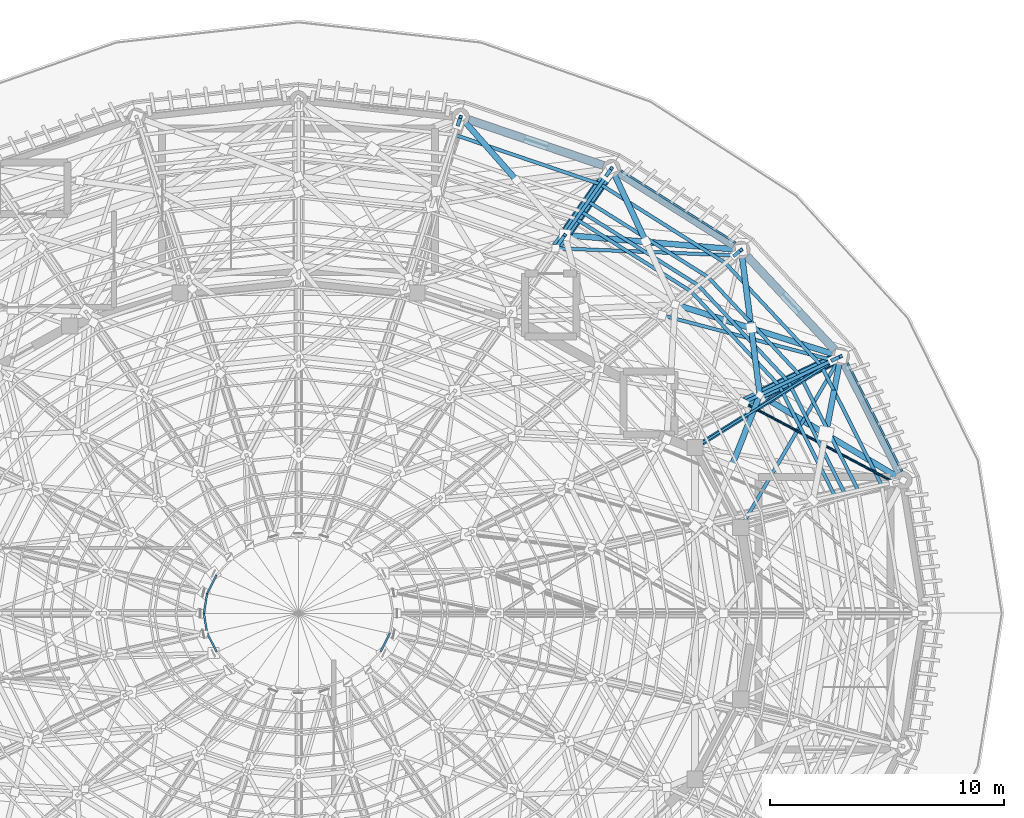
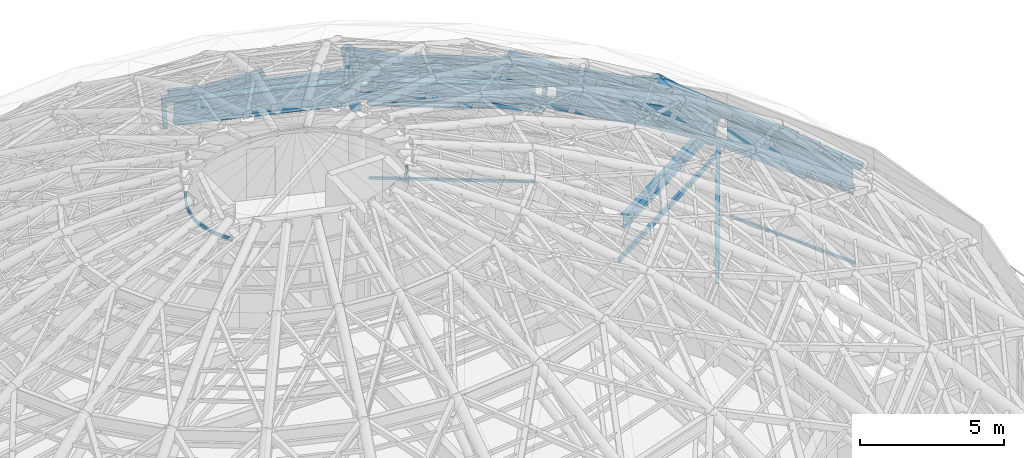
# One storey, part 34 of 50: 48 members, 5 beams.
"""IFC4 building model written with IfcOpenShell, lengths in metres."""

from ifc_helpers import new_model, si_unit, direction, frame, origin, origin_2d, place, context, subcontext, project, spatial, rectangle, hollow_rectangle, hollow_circle, i_section, extrude, material, material_profile, profile_set, type_object, element, save


model = new_model("IFC4")

# Units and contexts
model_context = context("Model", 3, precision=1e-05, world=origin(), true_north=direction((0.0, 1.0)))
body_context = subcontext(model_context, "Body", "Model", "MODEL_VIEW")
ifc_project = project(units=[si_unit("LENGTHUNIT", "METRE"), si_unit("AREAUNIT", "SQUARE_METRE"), si_unit("VOLUMEUNIT", "CUBIC_METRE"), si_unit("PLANEANGLEUNIT", "RADIAN"), si_unit("MASSUNIT", "GRAM", prefix="KILO")], contexts=[model_context])

# Site, building, storey
site_placement = place(None, origin())
site = spatial("IfcSite", under=ifc_project, at=site_placement, CompositionType="ELEMENT")
building_placement = place(site_placement, origin())
building = spatial("IfcBuilding", under=site, at=building_placement, Name="Cinderbank Siding Concert Hall", CompositionType="ELEMENT")
storey_placement = place(building_placement, frame((0.0, 0.0, 23.699951171875)))
storey = spatial("IfcBuildingStorey", under=building, at=storey_placement, Name="L06", CompositionType="ELEMENT", Elevation=23.699951171875)

# Beams
ifc_material_1 = material(Name="Structural steel AS/NZS 3679.1 Grade 350 (340 MPa)", Category="steel")
ifc_material_profile_1 = material_profile(ifc_material_1, i_section(OverallWidth=0.208984375, OverallDepth=0.532958984375, WebThickness=0.01025390625, FlangeThickness=0.015625, at=origin_2d()), Name="530UB92.4", Category="LoadBearing")
ifc_profile_set_1 = profile_set([ifc_material_profile_1], Name="Structural steel AS/NZS 3679.1 Grade 350 (340 MPa)")
beam_type_1 = type_object("IfcBeamType", Name="BM-UB530H 530UB92.4", PredefinedType="BEAM", material=ifc_profile_set_1)
beam_1_placement = place(storey_placement, frame((139.26416015625, 51.281494140625, 4.235595703125), z_axis=(0.84781868984, 0.530286214376, 0.0), x_axis=(-0.530286214376, 0.84781868984, 0.0)))
element("IfcBeam", 1, at=beam_1_placement, inside=storey, type_object=beam_type_1, Name="L06 Beam BM-UB530H #840", PredefinedType="BEAM", context=body_context, shape_type="SweptSolid", body=[
    extrude(i_section(OverallWidth=0.208984375, OverallDepth=0.532958984375, WebThickness=0.01025390625, FlangeThickness=0.015625, at=origin_2d()), origin(), (0.0, 0.0, 1.0), 6.645263671875),
])
ifc_material_2 = material(Name="Structural steel welded plate section AS/NZS 3679.2 / AS/NZS 3678 Grade 350 (340 MPa)", Category="steel")
ifc_material_profile_2 = material_profile(ifc_material_2, i_section(OverallWidth=0.35009765625, OverallDepth=1.0, WebThickness=0.013916015625, FlangeThickness=0.02490234375, at=origin_2d()), Name="1000WB258", Category="LoadBearing")
ifc_profile_set_2 = profile_set([ifc_material_profile_2], Name="Structural steel welded plate section AS/NZS 3679.2 / AS/NZS 3678 Grade 350 (340 MPa)")
beam_type_2 = type_object("IfcBeamType", Name="BM-WB1000 1000WB258", PredefinedType="BEAM", material=ifc_profile_set_2)
beam_2_placement = place(storey_placement, frame((147.721435546875, 50.021728515625, 4.0), z_axis=(-0.450491318702, 0.892780808359, 0.0), x_axis=(-0.892780808359, -0.450491318702, 0.0)))
element("IfcBeam", 2, at=beam_2_placement, inside=storey, type_object=beam_type_2, Name="L06 Beam BM-WB1000 #818", PredefinedType="BEAM", context=body_context, shape_type="SweptSolid", body=[
    extrude(i_section(OverallWidth=0.35009765625, OverallDepth=1.0, WebThickness=0.013916015625, FlangeThickness=0.02490234375, at=origin_2d()), origin(), (0.0, 0.0, 1.0), 5.209228515625),
])
beam_3_placement = place(storey_placement, frame((144.958984375, 55.26806640625, 4.0), z_axis=(-0.682880789785, 0.730529826183, 0.0), x_axis=(-0.730529826183, -0.682880789785, 0.0)))
element("IfcBeam", 3, at=beam_3_placement, inside=storey, type_object=beam_type_2, Name="L06 Beam BM-WB1000 #819", PredefinedType="BEAM", context=body_context, shape_type="SweptSolid", body=[
    extrude(i_section(OverallWidth=0.35009765625, OverallDepth=1.0, WebThickness=0.013916015625, FlangeThickness=0.02490234375, at=origin_2d()), origin(), (0.0, 0.0, 1.0), 5.5029296875),
])
beam_4_placement = place(storey_placement, frame((140.639892578125, 59.751953125, 4.0), z_axis=(-0.8461355517, 0.532967755263, 0.0), x_axis=(-0.532967755263, -0.8461355517, 0.0)))
element("IfcBeam", 4, at=beam_4_placement, inside=storey, type_object=beam_type_2, Name="L06 Beam BM-WB1000 #820", PredefinedType="BEAM", context=body_context, shape_type="SweptSolid", body=[
    extrude(i_section(OverallWidth=0.35009765625, OverallDepth=1.0, WebThickness=0.013916015625, FlangeThickness=0.02490234375, at=origin_2d()), origin(), (0.0, 0.0, 1.0), 5.825927734375),
])
beam_5_placement = place(storey_placement, frame((135.052490234375, 63.170654296875, 4.0), z_axis=(-0.946754669813, 0.321955890128, 0.0), x_axis=(-0.321955890128, -0.946754669813, 0.0)))
element("IfcBeam", 5, at=beam_5_placement, inside=storey, type_object=beam_type_2, Name="L06 Beam BM-WB1000 #821", PredefinedType="BEAM", context=body_context, shape_type="SweptSolid", body=[
    extrude(i_section(OverallWidth=0.35009765625, OverallDepth=1.0, WebThickness=0.013916015625, FlangeThickness=0.02490234375, at=origin_2d()), origin(), (0.0, 0.0, 1.0), 6.093017578125),
])

# Members
ifc_material_3 = material(Name="Structural steel hollow section AS/NZS 1163 Grade C350L0 (350 MPa)", Category="steel")
ifc_material_profile_3 = material_profile(ifc_material_3, hollow_circle(Radius=0.05712890625, WallThickness=0.006103515625, at=origin_2d()), Name="114.3x6.0CHS", Category="LoadBearing")
ifc_profile_set_3 = profile_set([ifc_material_profile_3], Name="Structural steel hollow section AS/NZS 1163 Grade C350L0 (350 MPa)")
member_type_1 = type_object("IfcMemberType", Name="BR-CHS114 114.3x6.0CHS Roof Truss", PredefinedType="BRACE", material=ifc_profile_set_3)
member_1_placement = place(storey_placement, frame((147.49853515625, 49.608642578125, 3.550048828125), z_axis=(-0.79236704767, 0.41977802677, 0.442652086867), x_axis=(-0.468139953779, -0.88365433495, 0.0)))
element("IfcMember", 6, at=member_1_placement, inside=storey, type_object=member_type_1, Name="L06 Diagonal Brace BR-CHS114 #DBRI-BR-CHS114-L06-0551", PredefinedType="BRACE", context=body_context, shape_type="SweptSolid", body=[
    extrude(hollow_circle(Radius=0.05712890625, WallThickness=0.006103515625, at=origin_2d()), origin(), (0.0, 0.0, 1.0), 8.133056640625),
])
ifc_material_profile_4 = material_profile(ifc_material_3, hollow_rectangle(XDim=0.14990234375, YDim=0.14990234375, WallThickness=0.008056640625, at=origin_2d()), Name="150x150x8.0SHS", Category="LoadBearing")
ifc_profile_set_4 = profile_set([ifc_material_profile_4], Name="Structural steel hollow section AS/NZS 1163 Grade C350L0 (350 MPa)")
member_type_2 = type_object("IfcMemberType", Name="BR-SHS150 150x150x8.0SHS Roof Truss", PredefinedType="BRACE", material=ifc_profile_set_4)
member_2_placement = place(storey_placement, frame((144.861328125, 54.8349609375, 3.550048828125), z_axis=(-0.545595440162, -0.259994630343, 0.79669844224), x_axis=(0.430186155729, -0.902740201508, 0.0)))
element("IfcMember", 7, at=member_2_placement, inside=storey, type_object=member_type_2, Name="L06 Diagonal Brace BR-SHS150 #DWBD-BR-SHS150-L06-0554", PredefinedType="BRACE", context=body_context, shape_type="SweptSolid", body=[
    extrude(hollow_rectangle(XDim=0.14990234375, YDim=0.14990234375, WallThickness=0.008056640625, at=origin_2d()), origin(), (0.0, 0.0, 1.0), 5.711181640625),
])
member_3_placement = place(storey_placement, frame((144.861328125, 54.8349609375, 3.550048828125), z_axis=(0.339616879997, 0.160996501317, 0.926682524592), x_axis=(-0.428358715974, 0.903608770679, 0.0)))
element("IfcMember", 8, at=member_3_placement, inside=storey, type_object=member_type_2, Name="L06 Diagonal Brace BR-SHS150 #DWBV-BR-SHS150-L06-0557", PredefinedType="BRACE", context=body_context, shape_type="SweptSolid", body=[
    extrude(hollow_rectangle(XDim=0.14990234375, YDim=0.14990234375, WallThickness=0.008056640625, at=origin_2d()), origin(), (0.0, 0.0, 1.0), 1.025146484375),
])
member_4_placement = place(storey_placement, frame((144.861328125, 54.8349609375, 3.550048828125), z_axis=(-0.872886709146, 0.230075604266, 0.430272017819), x_axis=(-0.25487513869, -0.966973972596, 0.0)))
element("IfcMember", 9, at=member_4_placement, inside=storey, type_object=member_type_2, Name="L06 Diagonal Brace BR-SHS150 #DBRI-BR-SHS150-L06-0563", PredefinedType="BRACE", context=body_context, shape_type="SweptSolid", body=[
    extrude(hollow_rectangle(XDim=0.14990234375, YDim=0.14990234375, WallThickness=0.008056640625, at=origin_2d()), origin(), (0.0, 0.0, 1.0), 8.366943359375),
])
member_5_placement = place(storey_placement, frame((140.666259765625, 59.322998046875, 3.550048828125), z_axis=(0.27897780154, 0.229126098172, 0.932562393293), x_axis=(-0.63468279093, 0.772772770546, 0.0)))
element("IfcMember", 10, at=member_5_placement, inside=storey, type_object=member_type_2, Name="L06 Diagonal Brace BR-SHS150 #DWBV-BR-SHS150-L06-0569", PredefinedType="BRACE", context=body_context, shape_type="SweptSolid", body=[
    extrude(hollow_rectangle(XDim=0.14990234375, YDim=0.14990234375, WallThickness=0.008056640625, at=origin_2d()), origin(), (0.0, 0.0, 1.0), 1.0185546875),
])
member_6_placement = place(storey_placement, frame((140.666259765625, 59.322998046875, 3.550048828125), z_axis=(-0.90455499576, 0.035983985403, 0.424835747602), x_axis=(-0.039749431129, -0.999209679059, 0.0)))
element("IfcMember", 11, at=member_6_placement, inside=storey, type_object=member_type_2, Name="L06 Diagonal Brace BR-SHS150 #DBRI-BR-SHS150-L06-0575", PredefinedType="BRACE", context=body_context, shape_type="SweptSolid", body=[
    extrude(hollow_rectangle(XDim=0.14990234375, YDim=0.14990234375, WallThickness=0.008056640625, at=origin_2d()), origin(), (0.0, 0.0, 1.0), 8.47412109375),
])
member_7_placement = place(storey_placement, frame((135.198974609375, 62.766845703125, 3.550048828125), z_axis=(-0.325461221953, -0.465335789726, 0.823126719166), x_axis=(0.819458401661, -0.573138663804, 0.0)))
element("IfcMember", 12, at=member_7_placement, inside=storey, type_object=member_type_2, Name="L06 Diagonal Brace BR-SHS150 #DWBD-BR-SHS150-L06-0578", PredefinedType="BRACE", context=body_context, shape_type="SweptSolid", body=[
    extrude(hollow_rectangle(XDim=0.14990234375, YDim=0.14990234375, WallThickness=0.008056640625, at=origin_2d()), origin(), (0.0, 0.0, 1.0), 5.52783203125),
])
member_8_placement = place(storey_placement, frame((135.198974609375, 62.766845703125, 3.550048828125), z_axis=(0.198523096984, 0.28222603095, 0.938582467031), x_axis=(-0.817916075625, 0.575337547213, 0.0)))
element("IfcMember", 13, at=member_8_placement, inside=storey, type_object=member_type_2, Name="L06 Diagonal Brace BR-SHS150 #DWBV-BR-SHS150-L06-0581", PredefinedType="BRACE", context=body_context, shape_type="SweptSolid", body=[
    extrude(hollow_rectangle(XDim=0.14990234375, YDim=0.14990234375, WallThickness=0.008056640625, at=origin_2d()), origin(), (0.0, 0.0, 1.0), 1.01220703125),
])
member_9_placement = place(storey_placement, frame((128.832275390625, 64.931640625, 3.550048828125), z_axis=(0.103238246716, 0.316500352609, 0.94295778867), x_axis=(-0.950701849516, 0.310106422583, 0.0)))
element("IfcMember", 14, at=member_9_placement, inside=storey, type_object=member_type_2, Name="L06 Diagonal Brace BR-SHS150 #DWBV-BR-SHS150-L06-0593", PredefinedType="BRACE", context=body_context, shape_type="SweptSolid", body=[
    extrude(hollow_rectangle(XDim=0.14990234375, YDim=0.14990234375, WallThickness=0.008056640625, at=origin_2d()), origin(), (0.0, 0.0, 1.0), 1.00732421875),
])
member_10_placement = place(storey_placement, frame((141.05419921875, 53.022705078125, 7.150146484375), z_axis=(0.56673612526, 0.26845395407, 0.778936864495), x_axis=(-0.428086344739, 0.903737838894, 0.0)))
element("IfcMember", 15, at=member_10_placement, inside=storey, type_object=member_type_2, Name="L06 Diagonal Brace BR-SHS150 #DWBV-BR-SHS150-L06-0845", PredefinedType="BRACE", context=body_context, shape_type="SweptSolid", body=[
    extrude(hollow_rectangle(XDim=0.14990234375, YDim=0.14990234375, WallThickness=0.008056640625, at=origin_2d()), origin(), (0.0, 0.0, 1.0), 1.219482421875),
])
member_11_placement = place(storey_placement, frame((133.0009765625, 59.6279296875, 7.150146484375), z_axis=(0.339263613147, 0.481903822592, 0.807879264845), x_axis=(-0.817689723115, 0.575659201883, 0.0)))
element("IfcMember", 16, at=member_11_placement, inside=storey, type_object=member_type_2, Name="L06 Diagonal Brace BR-SHS150 #DWBV-BR-SHS150-L06-0869", PredefinedType="BRACE", context=body_context, shape_type="SweptSolid", body=[
    extrude(hollow_rectangle(XDim=0.14990234375, YDim=0.14990234375, WallThickness=0.008056640625, at=origin_2d()), origin(), (0.0, 0.0, 1.0), 1.17578125),
])
ifc_material_profile_5 = material_profile(ifc_material_3, hollow_rectangle(XDim=0.25, YDim=0.25, WallThickness=0.010009765625, at=origin_2d()), Name="250x250x10.0SHS", Category="LoadBearing")
ifc_profile_set_5 = profile_set([ifc_material_profile_5], Name="Structural steel hollow section AS/NZS 1163 Grade C350L0 (350 MPa)")
member_type_3 = type_object("IfcMemberType", Name="BR-SHS250 250x250x10.0SHS Roof Truss", PredefinedType="BRACE", material=ifc_profile_set_5)
member_12_placement = place(storey_placement, frame((147.88671875, 49.694091796875, 4.5), z_axis=(-0.767409803863, 0.456846027146, 0.449859867532), x_axis=(-0.511528898999, -0.859266073745, 0.0)))
element("IfcMember", 17, at=member_12_placement, inside=storey, type_object=member_type_3, Name="L06 Diagonal Brace BR-SHS250 #DBRO-BR-SHS250-L06-0549", PredefinedType="BRACE", context=body_context, shape_type="SweptSolid", body=[
    extrude(hollow_rectangle(XDim=0.25, YDim=0.25, WallThickness=0.010009765625, at=origin_2d()), origin(), (0.0, 0.0, 1.0), 8.002685546875),
])
member_13_placement = place(storey_placement, frame((145.20947265625, 55.0, 4.5), z_axis=(-0.164039053176, -0.851661679594, 0.49775854844), x_axis=(0.981951247907, -0.189134202971, 0.0)))
element("IfcMember", 18, at=member_13_placement, inside=storey, type_object=member_type_3, Name="L06 Diagonal Brace BR-SHS250 #DBRO-BR-SHS250-L06-0550", PredefinedType="BRACE", context=body_context, shape_type="SweptSolid", body=[
    extrude(hollow_rectangle(XDim=0.25, YDim=0.25, WallThickness=0.010009765625, at=origin_2d()), origin(), (0.0, 0.0, 1.0), 3.89501953125),
])
member_14_placement = place(storey_placement, frame((145.20947265625, 55.0, 4.5), z_axis=(-0.858632848561, 0.269302517607, 0.436148811053), x_axis=(-0.299266732381, -0.954169493796, 0.0)))
element("IfcMember", 19, at=member_14_placement, inside=storey, type_object=member_type_3, Name="L06 Diagonal Brace BR-SHS250 #DBRO-BR-SHS250-L06-0561", PredefinedType="BRACE", context=body_context, shape_type="SweptSolid", body=[
    extrude(hollow_rectangle(XDim=0.25, YDim=0.25, WallThickness=0.010009765625, at=origin_2d()), origin(), (0.0, 0.0, 1.0), 8.25439453125),
])
member_15_placement = place(storey_placement, frame((140.950439453125, 59.556396484375, 4.5), z_axis=(0.110106211662, -0.859745479311, 0.498712675754), x_axis=(0.991898764162, 0.127030868905, 0.0)))
element("IfcMember", 20, at=member_15_placement, inside=storey, type_object=member_type_3, Name="L06 Diagonal Brace BR-SHS250 #DBRO-BR-SHS250-L06-0562", PredefinedType="BRACE", context=body_context, shape_type="SweptSolid", body=[
    extrude(hollow_rectangle(XDim=0.25, YDim=0.25, WallThickness=0.010009765625, at=origin_2d()), origin(), (0.0, 0.0, 1.0), 3.886962890625),
])
member_16_placement = place(storey_placement, frame((141.3818359375, 56.188720703125, 6.453369140625), z_axis=(0.110100351574, -0.85972920601, 0.498742022408), x_axis=(0.991899313078, 0.12702658271, 0.0)))
element("IfcMember", 21, at=member_16_placement, inside=storey, type_object=member_type_3, Name="L06 Diagonal Brace BR-SHS250 #DBRO-BR-SHS250-L06-0562-S59", PredefinedType="BRACE", context=body_context, shape_type="SweptSolid", body=[
    extrude(hollow_rectangle(XDim=0.25, YDim=0.25, WallThickness=0.010009765625, at=origin_2d()), origin(), (0.0, 0.0, 1.0), 3.3017578125),
])
member_17_placement = place(storey_placement, frame((140.950439453125, 59.556396484375, 4.5), z_axis=(-0.900031188396, 0.076072089969, 0.429135056879), x_axis=(-0.084221316312, -0.996447073295, 0.0)))
element("IfcMember", 22, at=member_17_placement, inside=storey, type_object=member_type_3, Name="L06 Diagonal Brace BR-SHS250 #DBRO-BR-SHS250-L06-0573", PredefinedType="BRACE", context=body_context, shape_type="SweptSolid", body=[
    extrude(hollow_rectangle(XDim=0.25, YDim=0.25, WallThickness=0.010009765625, at=origin_2d()), origin(), (0.0, 0.0, 1.0), 8.38916015625),
])
member_18_placement = place(storey_placement, frame((135.39990234375, 63.052490234375, 4.5), z_axis=(0.369192061339, -0.790721694593, 0.488320001172), x_axis=(0.906100301336, 0.423062931393, 0.0)))
element("IfcMember", 23, at=member_18_placement, inside=storey, type_object=member_type_3, Name="L06 Diagonal Brace BR-SHS250 #DBRO-BR-SHS250-L06-0574", PredefinedType="BRACE", context=body_context, shape_type="SweptSolid", body=[
    extrude(hollow_rectangle(XDim=0.25, YDim=0.25, WallThickness=0.010009765625, at=origin_2d()), origin(), (0.0, 0.0, 1.0), 3.9697265625),
])
member_19_placement = place(storey_placement, frame((128.936279296875, 65.25048828125, 4.5), z_axis=(0.58389510342, -0.661293083102, 0.470911845724), x_axis=(0.749612186488, 0.661877307262, 0.0)))
element("IfcMember", 24, at=member_19_placement, inside=storey, type_object=member_type_3, Name="L06 Diagonal Brace BR-SHS250 #DBRO-BR-SHS250-L06-0586", PredefinedType="BRACE", context=body_context, shape_type="SweptSolid", body=[
    extrude(hollow_rectangle(XDim=0.25, YDim=0.25, WallThickness=0.010009765625, at=origin_2d()), origin(), (0.0, 0.0, 1.0), 4.116455078125),
])
member_20_placement = place(storey_placement, frame((141.745361328125, 53.35009765625, 8.10009765625), z_axis=(-0.322419421773, -0.817949942485, 0.476448956397), x_axis=(0.930332071669, -0.366718197563, 0.0)))
element("IfcMember", 25, at=member_20_placement, inside=storey, type_object=member_type_3, Name="L06 Diagonal Brace BR-SHS250 #DBRO-BR-SHS250-L06-0838", PredefinedType="BRACE", context=body_context, shape_type="SweptSolid", body=[
    extrude(hollow_rectangle(XDim=0.25, YDim=0.25, WallThickness=0.010009765625, at=origin_2d()), origin(), (0.0, 0.0, 1.0), 3.72314453125),
])
ifc_material_profile_6 = material_profile(ifc_material_3, hollow_circle(Radius=0.203125, WallThickness=0.01611328125, at=origin_2d()), Name="406.4x16.0CHS", Category="LoadBearing")
ifc_profile_set_6 = profile_set([ifc_material_profile_6], Name="Structural steel hollow section AS/NZS 1163 Grade C350L0 (350 MPa)")
member_type_4 = type_object("IfcMemberType", Name="DR-CHS406 406.4x16.0CHS Roof Truss", PredefinedType="RAFTER", material=ifc_profile_set_6)
member_21_placement = place(storey_placement, frame((144.861328125, 54.8349609375, 3.550048828125), z_axis=(-0.686675048231, -0.326868595807, 0.649333734848), x_axis=(0.429805464198, -0.902921515385, 0.0)))
element("IfcMember", 26, at=member_21_placement, inside=storey, type_object=member_type_4, Name="L06 Roof Truss Member DR-CHS406 #553", PredefinedType="RAFTER", context=body_context, shape_type="SweptSolid", body=[
    extrude(hollow_circle(Radius=0.203125, WallThickness=0.01611328125, at=origin_2d()), origin(), (0.0, 0.0, 1.0), 5.544189453125),
])
member_22_placement = place(storey_placement, frame((135.198974609375, 62.766845703125, 3.550048828125), z_axis=(-0.418043448824, -0.596999291517, 0.684712728685), x_axis=(0.819139121864, -0.573594891043, 0.0)))
element("IfcMember", 27, at=member_22_placement, inside=storey, type_object=member_type_4, Name="L06 Roof Truss Member DR-CHS406 #577", PredefinedType="RAFTER", context=body_context, shape_type="SweptSolid", body=[
    extrude(hollow_circle(Radius=0.203125, WallThickness=0.01611328125, at=origin_2d()), origin(), (0.0, 0.0, 1.0), 5.2578125),
])
ifc_material_profile_7 = material_profile(ifc_material_3, hollow_circle(Radius=0.25390625, WallThickness=0.01611328125, at=origin_2d()), Name="508.0x16.0CHS", Category="LoadBearing")
ifc_profile_set_7 = profile_set([ifc_material_profile_7], Name="Structural steel hollow section AS/NZS 1163 Grade C350L0 (350 MPa)")
member_type_5 = type_object("IfcMemberType", Name="DR-CHS508 508.0x16.0CHS Roof Truss", PredefinedType="RAFTER", material=ifc_profile_set_7)
member_23_placement = place(storey_placement, frame((145.20947265625, 55.0, 4.5), z_axis=(-0.658393706592, -0.313582681595, 0.684239452914), x_axis=(0.430002735645, -0.902827584502, 0.0)))
element("IfcMember", 28, at=member_23_placement, inside=storey, type_object=member_type_5, Name="L06 Roof Truss Member DR-CHS508 #552", PredefinedType="RAFTER", context=body_context, shape_type="SweptSolid", body=[
    extrude(hollow_circle(Radius=0.25390625, WallThickness=0.01611328125, at=origin_2d()), origin(), (0.0, 0.0, 1.0), 5.261474609375),
])
member_24_placement = place(storey_placement, frame((135.39990234375, 63.052490234375, 4.5), z_axis=(-0.398977108308, -0.570120364972, 0.718178276259), x_axis=(0.819304252775, -0.573358998696, 0.0)))
element("IfcMember", 29, at=member_24_placement, inside=storey, type_object=member_type_5, Name="L06 Roof Truss Member DR-CHS508 #576", PredefinedType="RAFTER", context=body_context, shape_type="SweptSolid", body=[
    extrude(hollow_circle(Radius=0.25390625, WallThickness=0.01611328125, at=origin_2d()), origin(), (0.0, 0.0, 1.0), 5.012939453125),
])
ifc_material_4 = material(Name="Anodised aluminium alloy 6063-T6", Category="aluminium")
ifc_material_profile_8 = material_profile(ifc_material_4, rectangle(XDim=0.080078125, YDim=0.10009765625, at=origin_2d()), Name="ALU-RAIL-80x100", Category="LoadBearing")
ifc_profile_set_8 = profile_set([ifc_material_profile_8], Name="Anodised aluminium alloy 6063-T6")
member_type_6 = type_object("IfcMemberType", Name="LV-RL1 Carrier Rail 80x100", PredefinedType="STUD", material=ifc_profile_set_8)
for number, where, z_axis, x_axis, name in (
    (30, (147.834228515625, 50.083984375, 0.219970703125), (-0.450482714116, 0.892785150124, 0.0), (-0.892785150124, -0.450482714116, 0.0), "L06 Louvre Carrier Rail 02 BOT"),
    (31, (147.834228515625, 50.083984375, 3.320068359375), (-0.450482714116, 0.892785150124, 0.0), (-0.892785150124, -0.450482714116, 0.0), "L06 Louvre Carrier Rail 02 TOP"),
):
    element("IfcMember", number, at=place(storey_placement, frame(where, z_axis=z_axis, x_axis=x_axis)), inside=storey, type_object=member_type_6, Name=name, PredefinedType="STUD", context=body_context, shape_type="SweptSolid", body=[
        extrude(rectangle(XDim=0.080078125, YDim=0.10009765625, at=origin_2d()), origin(), (0.0, 0.0, 1.0), 5.1630859375),
    ])
for number, where, z_axis, x_axis, name in (
    (32, (140.709228515625, 59.859130859375, 0.219970703125), (-0.84612066394, 0.532991390225, 0.0), (-0.532991390225, -0.84612066394, 0.0), "L06 Louvre Carrier Rail 04 BOT"),
    (33, (140.709228515625, 59.859130859375, 3.320068359375), (-0.84612066394, 0.532991390225, 0.0), (-0.532991390225, -0.84612066394, 0.0), "L06 Louvre Carrier Rail 04 TOP"),
):
    element("IfcMember", number, at=place(storey_placement, frame(where, z_axis=z_axis, x_axis=x_axis)), inside=storey, type_object=member_type_6, Name=name, PredefinedType="STUD", context=body_context, shape_type="SweptSolid", body=[
        extrude(rectangle(XDim=0.080078125, YDim=0.10009765625, at=origin_2d()), origin(), (0.0, 0.0, 1.0), 5.77978515625),
    ])
ifc_material_profile_9 = material_profile(ifc_material_3, hollow_rectangle(XDim=0.074951171875, YDim=0.125, WallThickness=0.0048828125, at=origin_2d()), Name="125x75x5.0RHS", Category="LoadBearing")
ifc_profile_set_9 = profile_set([ifc_material_profile_9], Name="Structural steel hollow section AS/NZS 1163 Grade C350L0 (350 MPa)")
member_type_7 = type_object("IfcMemberType", Name="PR-RHS125 125x75x5.0RHS Roof Truss", PredefinedType="PURLIN", material=ifc_profile_set_9)
member_25_placement = place(storey_placement, frame((118.489990234375, 45.640380859375, 16.150146484375), z_axis=(-0.455435300966, -0.890268884458, 0.0), x_axis=(0.890268884458, -0.455435300966, 0.0)))
element("IfcMember", 34, at=member_25_placement, inside=storey, type_object=member_type_7, Name="L06 Roof Truss Member PR-RHS125 #1783", PredefinedType="PURLIN", context=body_context, shape_type="SweptSolid", body=[
    extrude(hollow_rectangle(XDim=0.074951171875, YDim=0.125, WallThickness=0.0048828125, at=origin_2d()), origin(), (0.0, 0.0, 1.0), 0.888671875),
])
for number, where, z_axis, x_axis, name in (
    (35, (118.085205078125, 44.84912109375, 16.150146484375), (-0.160624167107, -0.98701564169, 0.0), (0.98701564169, -0.160624167107, 0.0), "L06 Roof Truss Member PR-RHS125 #1793"),
    (36, (117.947021484375, 44.0, 16.150146484375), (0.160624167107, -0.98701564169, 0.0), (0.98701564169, 0.160624167107, 0.0), "L06 Roof Truss Member PR-RHS125 #1803"),
):
    element("IfcMember", number, at=place(storey_placement, frame(where, z_axis=z_axis, x_axis=x_axis)), inside=storey, type_object=member_type_7, Name=name, PredefinedType="PURLIN", context=body_context, shape_type="SweptSolid", body=[
        extrude(hollow_rectangle(XDim=0.074951171875, YDim=0.125, WallThickness=0.0048828125, at=origin_2d()), origin(), (0.0, 0.0, 1.0), 0.8603515625),
    ])
for number, where, z_axis, x_axis, name in (
    (37, (118.085205078125, 43.15087890625, 16.150146484375), (0.455435300966, -0.890268884458, 0.0), (0.890268884458, 0.455435300966, 0.0), "L06 Roof Truss Member PR-RHS125 #1813"),
    (38, (125.510009765625, 42.359619140625, 16.150146484375), (0.455435300966, 0.890268884458, 0.0), (-0.890268884458, 0.455435300966, 0.0), "L06 Roof Truss Member PR-RHS125 #1903"),
):
    element("IfcMember", number, at=place(storey_placement, frame(where, z_axis=z_axis, x_axis=x_axis)), inside=storey, type_object=member_type_7, Name=name, PredefinedType="PURLIN", context=body_context, shape_type="SweptSolid", body=[
        extrude(hollow_rectangle(XDim=0.074951171875, YDim=0.125, WallThickness=0.0048828125, at=origin_2d()), origin(), (0.0, 0.0, 1.0), 0.888671875),
    ])
ifc_material_profile_10 = material_profile(ifc_material_3, hollow_rectangle(XDim=0.10009765625, YDim=0.199951171875, WallThickness=0.008056640625, at=origin_2d()), Name="200x100x8.0RHS", Category="LoadBearing")
ifc_profile_set_10 = profile_set([ifc_material_profile_10], Name="Structural steel hollow section AS/NZS 1163 Grade C350L0 (350 MPa)")
member_type_8 = type_object("IfcMemberType", Name="PR-RHS200 200x100x8.0RHS Roof Truss", PredefinedType="PURLIN", material=ifc_profile_set_10)
member_26_placement = place(storey_placement, frame((138.97412109375, 51.10009765625, 2.81005859375), z_axis=(0.847826684568, 0.530273432235, 0.0), x_axis=(-0.530273432235, 0.847826684568, 0.0)))
element("IfcMember", 39, at=member_26_placement, inside=storey, type_object=member_type_8, Name="L06 Roof Truss Member PR-RHS200 #2335", PredefinedType="PURLIN", context=body_context, shape_type="SweptSolid", body=[
    extrude(hollow_rectangle(XDim=0.10009765625, YDim=0.199951171875, WallThickness=0.008056640625, at=origin_2d()), origin(), (0.0, 0.0, 1.0), 7.3544921875),
])
ifc_material_profile_11 = material_profile(ifc_material_3, hollow_rectangle(XDim=0.14990234375, YDim=0.25, WallThickness=0.009033203125, at=origin_2d()), Name="250x150x9.0RHS", Category="LoadBearing")
ifc_profile_set_11 = profile_set([ifc_material_profile_11], Name="Structural steel hollow section AS/NZS 1163 Grade C350L0 (350 MPa)")
member_type_9 = type_object("IfcMemberType", Name="PR-RHS250 250x150x9.0RHS Roof Truss", PredefinedType="PURLIN", material=ifc_profile_set_11)
member_27_placement = place(storey_placement, frame((145.37548828125, 49.139404296875, 5.35009765625), z_axis=(-0.450650576503, 0.892700430098, 0.0), x_axis=(-0.892700430098, -0.450650576503, 0.0)))
element("IfcMember", 40, at=member_27_placement, inside=storey, type_object=member_type_9, Name="L06 Roof Truss Member PR-RHS250 #544", PredefinedType="PURLIN", context=body_context, shape_type="SweptSolid", body=[
    extrude(hollow_rectangle(XDim=0.14990234375, YDim=0.25, WallThickness=0.009033203125, at=origin_2d()), origin(), (0.0, 0.0, 1.0), 5.364990234375),
])
member_28_placement = place(storey_placement, frame((146.95947265625, 49.489013671875, 5.364013671875), z_axis=(-0.450534225654, 0.8927591565, 0.0), x_axis=(-0.8927591565, -0.450534225654, 0.0)))
element("IfcMember", 41, at=member_28_placement, inside=storey, type_object=member_type_9, Name="L06 Roof Truss Member PR-RHS250 #546", PredefinedType="PURLIN", context=body_context, shape_type="SweptSolid", body=[
    extrude(hollow_rectangle(XDim=0.14990234375, YDim=0.25, WallThickness=0.009033203125, at=origin_2d()), origin(), (0.0, 0.0, 1.0), 5.7294921875),
])
member_29_placement = place(storey_placement, frame((145.954833984375, 49.26708984375, 6.300048828125), z_axis=(-0.450638502562, 0.892706525129, 0.0), x_axis=(-0.892706525129, -0.450638502562, 0.0)))
element("IfcMember", 42, at=member_29_placement, inside=storey, type_object=member_type_9, Name="L06 Roof Truss Member PR-RHS250 #547", PredefinedType="PURLIN", context=body_context, shape_type="SweptSolid", body=[
    extrude(hollow_rectangle(XDim=0.14990234375, YDim=0.25, WallThickness=0.009033203125, at=origin_2d()), origin(), (0.0, 0.0, 1.0), 5.497802734375),
])
member_30_placement = place(storey_placement, frame((144.950439453125, 49.044921875, 7.236083984375), z_axis=(-0.450696350116, 0.892677321316, 0.0), x_axis=(-0.892677321316, -0.450696350116, 0.0)))
element("IfcMember", 43, at=member_30_placement, inside=storey, type_object=member_type_9, Name="L06 Roof Truss Member PR-RHS250 #548", PredefinedType="PURLIN", context=body_context, shape_type="SweptSolid", body=[
    extrude(hollow_rectangle(XDim=0.14990234375, YDim=0.25, WallThickness=0.009033203125, at=origin_2d()), origin(), (0.0, 0.0, 1.0), 5.266357421875),
])
member_31_placement = place(storey_placement, frame((142.957763671875, 53.9287109375, 5.35009765625), z_axis=(-0.68299151916, 0.730426303439, 0.0), x_axis=(-0.730426303439, -0.68299151916, 0.0)))
element("IfcMember", 44, at=member_31_placement, inside=storey, type_object=member_type_9, Name="L06 Roof Truss Member PR-RHS250 #556", PredefinedType="PURLIN", context=body_context, shape_type="SweptSolid", body=[
    extrude(hollow_rectangle(XDim=0.14990234375, YDim=0.25, WallThickness=0.009033203125, at=origin_2d()), origin(), (0.0, 0.0, 1.0), 5.630615234375),
])
member_32_placement = place(storey_placement, frame((144.378173828125, 54.60400390625, 5.364013671875), z_axis=(-0.682934278853, 0.730479822286, 0.0), x_axis=(-0.730479822286, -0.682934278853, 0.0)))
element("IfcMember", 45, at=member_32_placement, inside=storey, type_object=member_type_9, Name="L06 Roof Truss Member PR-RHS250 #558", PredefinedType="PURLIN", context=body_context, shape_type="SweptSolid", body=[
    extrude(hollow_rectangle(XDim=0.14990234375, YDim=0.25, WallThickness=0.009033203125, at=origin_2d()), origin(), (0.0, 0.0, 1.0), 6.012939453125),
])
member_33_placement = place(storey_placement, frame((143.477294921875, 54.175048828125, 6.300048828125), z_axis=(-0.683015909335, 0.730403496429, 0.0), x_axis=(-0.730403496429, -0.683015909335, 0.0)))
element("IfcMember", 46, at=member_33_placement, inside=storey, type_object=member_type_9, Name="L06 Roof Truss Member PR-RHS250 #559", PredefinedType="PURLIN", context=body_context, shape_type="SweptSolid", body=[
    extrude(hollow_rectangle(XDim=0.14990234375, YDim=0.25, WallThickness=0.009033203125, at=origin_2d()), origin(), (0.0, 0.0, 1.0), 5.770263671875),
])
member_34_placement = place(storey_placement, frame((142.576904296875, 53.74609375, 7.236083984375), z_axis=(-0.68312825559, 0.730298422848, 0.0), x_axis=(-0.730298422848, -0.68312825559, 0.0)))
element("IfcMember", 47, at=member_34_placement, inside=storey, type_object=member_type_9, Name="L06 Roof Truss Member PR-RHS250 #560", PredefinedType="PURLIN", context=body_context, shape_type="SweptSolid", body=[
    extrude(hollow_rectangle(XDim=0.14990234375, YDim=0.25, WallThickness=0.009033203125, at=origin_2d()), origin(), (0.0, 0.0, 1.0), 5.527587890625),
])
member_35_placement = place(storey_placement, frame((139.112060546875, 58.04150390625, 5.35009765625), z_axis=(-0.846208058507, 0.532852626641, 0.0), x_axis=(-0.532852626641, -0.846208058507, 0.0)))
element("IfcMember", 48, at=member_35_placement, inside=storey, type_object=member_type_9, Name="L06 Roof Truss Member PR-RHS250 #568", PredefinedType="PURLIN", context=body_context, shape_type="SweptSolid", body=[
    extrude(hollow_rectangle(XDim=0.14990234375, YDim=0.25, WallThickness=0.009033203125, at=origin_2d()), origin(), (0.0, 0.0, 1.0), 5.9228515625),
])
member_36_placement = place(storey_placement, frame((140.271728515625, 58.996337890625, 5.364013671875), z_axis=(-0.846182555837, 0.532893124553, 0.0), x_axis=(-0.532893124553, -0.846182555837, 0.0)))
element("IfcMember", 49, at=member_36_placement, inside=storey, type_object=member_type_9, Name="L06 Roof Truss Member PR-RHS250 #570", PredefinedType="PURLIN", context=body_context, shape_type="SweptSolid", body=[
    extrude(hollow_rectangle(XDim=0.14990234375, YDim=0.25, WallThickness=0.009033203125, at=origin_2d()), origin(), (0.0, 0.0, 1.0), 6.32470703125),
])
member_37_placement = place(storey_placement, frame((139.5361328125, 58.3896484375, 6.300048828125), z_axis=(-0.846235526957, 0.532809002285, 0.0), x_axis=(-0.532809002285, -0.846235526957, 0.0)))
element("IfcMember", 50, at=member_37_placement, inside=storey, type_object=member_type_9, Name="L06 Roof Truss Member PR-RHS250 #571", PredefinedType="PURLIN", context=body_context, shape_type="SweptSolid", body=[
    extrude(hollow_rectangle(XDim=0.14990234375, YDim=0.25, WallThickness=0.009033203125, at=origin_2d()), origin(), (0.0, 0.0, 1.0), 6.069580078125),
])
member_38_placement = place(storey_placement, frame((138.80078125, 57.782958984375, 7.236083984375), z_axis=(-0.846286123635, 0.532728633493, 0.0), x_axis=(-0.532728633493, -0.846286123635, 0.0)))
element("IfcMember", 51, at=member_38_placement, inside=storey, type_object=member_type_9, Name="L06 Roof Truss Member PR-RHS250 #572", PredefinedType="PURLIN", context=body_context, shape_type="SweptSolid", body=[
    extrude(hollow_rectangle(XDim=0.14990234375, YDim=0.25, WallThickness=0.009033203125, at=origin_2d()), origin(), (0.0, 0.0, 1.0), 5.814697265625),
])
member_39_placement = place(storey_placement, frame((134.919921875, 62.36669921875, 5.364013671875), z_axis=(-0.94678223989, 0.321874805209, 0.0), x_axis=(-0.321874805209, -0.94678223989, 0.0)))
element("IfcMember", 52, at=member_39_placement, inside=storey, type_object=member_type_9, Name="L06 Roof Truss Member PR-RHS250 #582", PredefinedType="PURLIN", context=body_context, shape_type="SweptSolid", body=[
    extrude(hollow_rectangle(XDim=0.14990234375, YDim=0.25, WallThickness=0.009033203125, at=origin_2d()), origin(), (0.0, 0.0, 1.0), 6.582275390625),
])
ifc_material_profile_12 = material_profile(ifc_material_3, hollow_rectangle(XDim=0.14990234375, YDim=0.25, WallThickness=0.009033203125, at=origin_2d()), Name="250x150x9.0RHS", Category="LoadBearing")
ifc_profile_set_12 = profile_set([ifc_material_profile_12], Name="Structural steel hollow section AS/NZS 1163 Grade C350L0 (350 MPa)")
member_type_10 = type_object("IfcMemberType", Name="TR-RHS250 250x150x9.0RHS Roof Truss", PredefinedType="RAFTER", material=ifc_profile_set_12)
member_40_placement = place(storey_placement, frame((140.93212890625, 47.67529296875, 3.35009765625), z_axis=(0.50427542144, 0.863542876372, 0.0), x_axis=(-0.863542876372, 0.50427542144, 0.0)))
element("IfcMember", 53, at=member_40_placement, inside=storey, type_object=member_type_10, Name="L06 Roof Truss Member TR-RHS250 #2331", PredefinedType="RAFTER", context=body_context, shape_type="SweptSolid", body=[
    extrude(hollow_rectangle(XDim=0.14990234375, YDim=0.25, WallThickness=0.009033203125, at=origin_2d()), origin(), (0.0, 0.0, 1.0), 8.482177734375),
])

save(model, "model.ifc")
